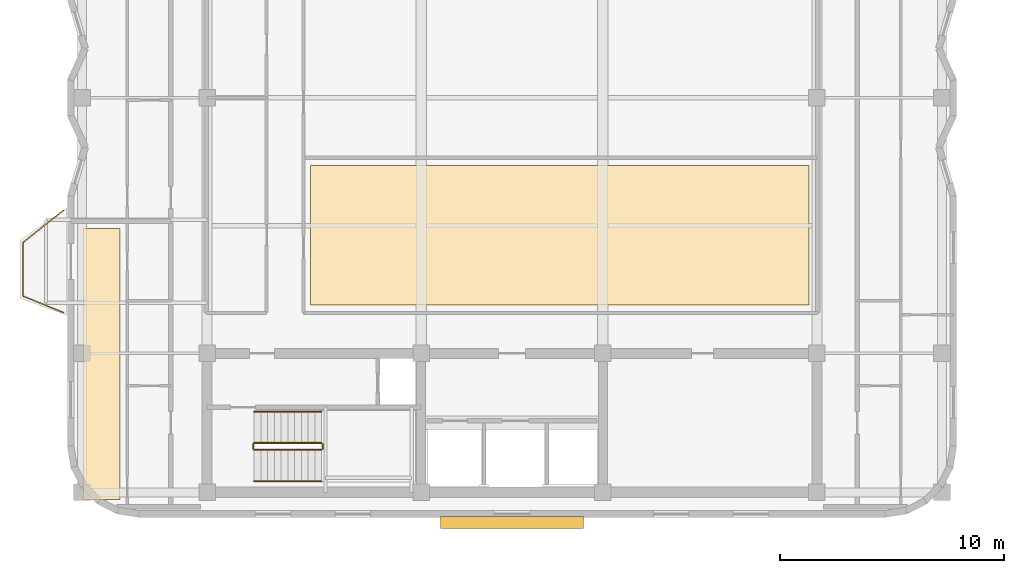
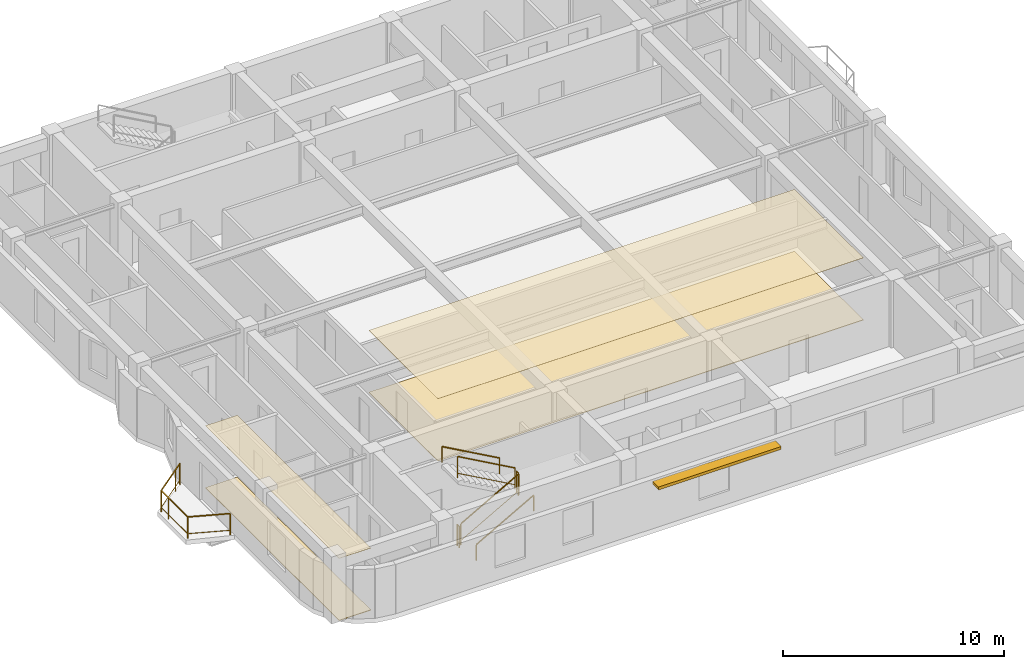
# One storey, part 7 of 8: 7 railings, 4 coverings, 1 shading device.
"""IFC4 building model written with IfcOpenShell, lengths in metres."""

from ifc_helpers import new_model, si_unit, direction, frame, origin, origin_2d, place, context, subcontext, project, spatial, polyline, rectangle, outline, extrude, material, layer, layer_set, type_object, element, save


model = new_model("IFC4")

# Units and contexts
model_context = context("Model", 3, precision=1e-05, world=origin(), true_north=direction((0.0, 1.0)))
body_context = subcontext(model_context, "Body", "Model", "MODEL_VIEW")
ifc_project = project(units=[si_unit("LENGTHUNIT", "METRE"), si_unit("AREAUNIT", "SQUARE_METRE"), si_unit("VOLUMEUNIT", "CUBIC_METRE"), si_unit("PLANEANGLEUNIT", "RADIAN"), si_unit("MASSUNIT", "GRAM", prefix="KILO")], contexts=[model_context])

# Site, building, storey
site_placement = place(None, origin())
site = spatial("IfcSite", under=ifc_project, at=site_placement, CompositionType="ELEMENT")
building_placement = place(site_placement, origin())
building = spatial("IfcBuilding", under=site, at=building_placement, Name="Svetorya Sky Lyceum", CompositionType="ELEMENT")
storey_placement = place(building_placement, frame((0.0, 0.0, 282.39990234375)))
storey = spatial("IfcBuildingStorey", under=building, at=storey_placement, Name="L71", CompositionType="ELEMENT", Elevation=282.39990234375)

# Coverings
ifc_material_1 = material(Name="Perforated acoustic gypsum ceiling board")
ifc_layer_1 = layer(ifc_material_1, 0.01806640625)
ifc_layer_set_1 = layer_set([ifc_layer_1], Name="Perforated acoustic gypsum ceiling board")
covering_type_1 = type_object("IfcCoveringType", Name="COV-CLG-GYP", PredefinedType="CEILING", material=ifc_layer_set_1)
covering_1_placement = place(storey_placement, frame((0.0, 0.0, 3.43212890625)))
element("IfcCovering", 1, at=covering_1_placement, inside=storey, type_object=covering_type_1, Name="Residents Club Hall L71 Acoustic Ceiling", PredefinedType="CEILING", context=body_context, shape_type="SweptSolid", body=[
    extrude(outline(polyline([(30.219970703125, 18.949951171875), (52.449951171875, 18.949951171875), (52.449951171875, 25.1904296875), (30.219970703125, 25.1904296875), (30.219970703125, 18.949951171875)])), origin(), (0.0, 0.0, 1.0), 0.01806640625),
])
covering_2_placement = place(storey_placement, frame((0.0, 0.0, 3.43212890625)))
element("IfcCovering", 2, at=covering_2_placement, inside=storey, type_object=covering_type_1, Name="Apartment W1 Studio Living Room Acoustic Ceiling", PredefinedType="CEILING", context=body_context, shape_type="SweptSolid", body=[
    extrude(outline(polyline([(20.061767578125, 10.280029296875), (21.719970703125, 10.280029296875), (21.719970703125, 22.3701171875), (20.061767578125, 22.3701171875), (20.061767578125, 10.280029296875)])), origin(), (0.0, 0.0, 1.0), 0.01806640625),
])
ifc_material_2 = material(Name="Honed Karelian granite terrazzo flooring", Category="masonry")
ifc_layer_2 = layer(ifc_material_2, 0.030029296875)
ifc_layer_set_2 = layer_set([ifc_layer_2], Name="Honed Karelian granite terrazzo flooring")
covering_type_2 = type_object("IfcCoveringType", Name="COV-FLR-TER", PredefinedType="FLOORING", material=ifc_layer_set_2)
covering_3_placement = place(storey_placement, origin())
element("IfcCovering", 3, at=covering_3_placement, inside=storey, type_object=covering_type_2, Name="Residents Club Hall L71 Architectural Flooring", PredefinedType="FLOORING", context=body_context, shape_type="SweptSolid", body=[
    extrude(outline(polyline([(30.219970703125, 18.949951171875), (52.449951171875, 18.949951171875), (52.449951171875, 25.1904296875), (30.219970703125, 25.1904296875), (30.219970703125, 18.949951171875)])), origin(), (0.0, 0.0, 1.0), 0.030029296875),
])
covering_4_placement = place(storey_placement, origin())
element("IfcCovering", 4, at=covering_4_placement, inside=storey, type_object=covering_type_2, Name="Apartment W1 Studio Living Room Architectural Flooring", PredefinedType="FLOORING", context=body_context, shape_type="SweptSolid", body=[
    extrude(outline(polyline([(20.061767578125, 10.280029296875), (21.719970703125, 10.280029296875), (21.719970703125, 22.3701171875), (20.061767578125, 22.3701171875), (20.061767578125, 10.280029296875)])), origin(), (0.0, 0.0, 1.0), 0.030029296875),
])

# Railings
ifc_material_3 = material(Name="Laminated safety glass and stainless AISI 316", Category="glass")
railing_type_1 = type_object("IfcRailingType", Name="RL-BAL-1200", PredefinedType="BALUSTRADE", material=ifc_material_3)
railing_1_placement = place(storey_placement, frame((19.18994140625, 18.6201171875, 0.0)))
element("IfcRailing", 5, at=railing_1_placement, inside=storey, type_object=railing_type_1, Name="L71 Balcony Balustrade BAL-W1", PredefinedType="BALUSTRADE", context=body_context, shape_type="SweptSolid", body=[
    extrude(rectangle(XDim=0.048095703125, YDim=0.048095703125, at=origin_2d()), frame((0.0, 0.0, 1.17578125), z_axis=(-0.926697865975, 0.375807218129, 0.0), x_axis=(-0.375807218129, -0.926697865975, 0.0)), (0.0, 0.0, 1.0), 1.9423828125),
    extrude(rectangle(XDim=0.02392578125, YDim=0.02392578125, at=origin_2d()), frame((0.0, 0.0, 0.25), z_axis=(-0.926697865975, 0.375807218129, 0.0), x_axis=(-0.375807218129, -0.926697865975, 0.0)), (0.0, 0.0, 1.0), 1.9423828125),
    extrude(rectangle(XDim=0.048095703125, YDim=0.048095703125, at=origin_2d()), frame((-1.800048828125, 0.72998046875, 1.17578125), z_axis=(0.0, 1.0, 0.0), x_axis=(-1.0, 0.0, 0.0)), (0.0, 0.0, 1.0), 2.39990234375),
    extrude(rectangle(XDim=0.02392578125, YDim=0.02392578125, at=origin_2d()), frame((-1.800048828125, 0.72998046875, 0.25), z_axis=(0.0, 1.0, 0.0), x_axis=(-1.0, 0.0, 0.0)), (0.0, 0.0, 1.0), 2.39990234375),
    extrude(rectangle(XDim=0.048095703125, YDim=0.048095703125, at=origin_2d()), frame((-1.800048828125, 3.1298828125, 1.17578125), z_axis=(0.783008919264, 0.622010476079, 0.0), x_axis=(-0.622010476079, 0.783008919264, 0.0)), (0.0, 0.0, 1.0), 2.298828125),
    extrude(rectangle(XDim=0.02392578125, YDim=0.02392578125, at=origin_2d()), frame((-1.800048828125, 3.1298828125, 0.25), z_axis=(0.783008919264, 0.622010476079, 0.0), x_axis=(-0.622010476079, 0.783008919264, 0.0)), (0.0, 0.0, 1.0), 2.298828125),
    extrude(rectangle(XDim=0.0419921875, YDim=0.0419921875, at=origin_2d()), origin(), (0.0, 0.0, 1.0), 1.15185546875),
    extrude(rectangle(XDim=0.0419921875, YDim=0.0419921875, at=origin_2d()), frame((-1.800048828125, 0.72998046875, 0.0)), (0.0, 0.0, 1.0), 1.15185546875),
    extrude(rectangle(XDim=0.0419921875, YDim=0.0419921875, at=origin_2d()), frame((-1.800048828125, 2.47998046875, 0.0)), (0.0, 0.0, 1.0), 1.15185546875),
    extrude(rectangle(XDim=0.0419921875, YDim=0.0419921875, at=origin_2d()), frame((-1.800048828125, 3.1298828125, 0.0)), (0.0, 0.0, 1.0), 1.15185546875),
    extrude(rectangle(XDim=0.0419921875, YDim=0.0419921875, at=origin_2d()), frame((-0.4296875, 4.218505859375, 0.0)), (0.0, 0.0, 1.0), 1.15185546875),
    extrude(rectangle(XDim=0.0419921875, YDim=0.0419921875, at=origin_2d()), frame((0.0, 4.559814453125, 0.0)), (0.0, 0.0, 1.0), 1.15185546875),
])
ifc_material_4 = material(Name="Painted galvanized stair well guard")
railing_type_2 = type_object("IfcRailingType", Name="RL-STR-GUARD-1200", PredefinedType="GUARDRAIL", material=ifc_material_4)
railing_2_placement = place(storey_placement, frame((27.699951171875, 12.5, 0.168212890625)))
element("IfcRailing", 6, at=railing_2_placement, inside=storey, type_object=railing_type_2, Name="L71 ST-S stair guard 1", PredefinedType="GUARDRAIL", context=body_context, shape_type="SweptSolid", body=[
    extrude(rectangle(XDim=0.048095703125, YDim=0.048095703125, at=origin_2d()), frame((0.0, 0.0, 1.17578125), z_axis=(0.872272294576, 0.0, 0.489020494575), x_axis=(0.0, 1.0, 0.0)), (0.0, 0.0, 1.0), 3.439208984375),
    extrude(rectangle(XDim=0.02392578125, YDim=0.02392578125, at=origin_2d()), frame((0.0, 0.0, 0.25), z_axis=(0.872272294576, 0.0, 0.489020494575), x_axis=(0.0, 1.0, 0.0)), (0.0, 0.0, 1.0), 3.439208984375),
    extrude(rectangle(XDim=0.0419921875, YDim=0.0419921875, at=origin_2d()), origin(), (0.0, 0.0, 1.0), 1.15185546875),
    extrude(rectangle(XDim=0.0419921875, YDim=0.0419921875, at=origin_2d()), frame((3.0, 0.0, 1.681884765625)), (0.0, 0.0, 1.0), 1.15185546875),
])
railing_3_placement = place(storey_placement, frame((30.75, 12.550048828125, 1.85009765625)))
element("IfcRailing", 7, at=railing_3_placement, inside=storey, type_object=railing_type_2, Name="L71 ST-S stair guard 2", PredefinedType="GUARDRAIL", context=body_context, shape_type="SweptSolid", body=[
    extrude(rectangle(XDim=0.048095703125, YDim=0.048095703125, at=origin_2d()), frame((0.0, 0.0, 1.17578125), z_axis=(0.0, 1.0, 0.0), x_axis=(-1.0, 0.0, 0.0)), (0.0, 0.0, 1.0), 0.199951171875),
    extrude(rectangle(XDim=0.02392578125, YDim=0.02392578125, at=origin_2d()), frame((0.0, 0.0, 0.25), z_axis=(0.0, 1.0, 0.0), x_axis=(-1.0, 0.0, 0.0)), (0.0, 0.0, 1.0), 0.199951171875),
    extrude(rectangle(XDim=0.0419921875, YDim=0.0419921875, at=origin_2d()), origin(), (0.0, 0.0, 1.0), 1.15185546875),
    extrude(rectangle(XDim=0.0419921875, YDim=0.0419921875, at=origin_2d()), frame((0.0, 0.199951171875, 0.0)), (0.0, 0.0, 1.0), 1.15185546875),
])
railing_4_placement = place(storey_placement, frame((30.699951171875, 12.800048828125, 2.018310546875)))
element("IfcRailing", 8, at=railing_4_placement, inside=storey, type_object=railing_type_2, Name="L71 ST-S stair guard 3", PredefinedType="GUARDRAIL", context=body_context, shape_type="SweptSolid", body=[
    extrude(rectangle(XDim=0.048095703125, YDim=0.048095703125, at=origin_2d()), frame((0.0, 0.0, 1.17578125), z_axis=(-0.872272294576, 0.0, 0.489020494575), x_axis=(0.0, -1.0, 0.0)), (0.0, 0.0, 1.0), 3.439208984375),
    extrude(rectangle(XDim=0.02392578125, YDim=0.02392578125, at=origin_2d()), frame((0.0, 0.0, 0.25), z_axis=(-0.872272294576, 0.0, 0.489020494575), x_axis=(0.0, -1.0, 0.0)), (0.0, 0.0, 1.0), 3.439208984375),
    extrude(rectangle(XDim=0.0419921875, YDim=0.0419921875, at=origin_2d()), origin(), (0.0, 0.0, 1.0), 1.15185546875),
    extrude(rectangle(XDim=0.0419921875, YDim=0.0419921875, at=origin_2d()), frame((-3.0, 0.0, 1.681884765625)), (0.0, 0.0, 1.0), 1.15185546875),
])
railing_5_placement = place(storey_placement, frame((27.64990234375, 12.550048828125, 0.0)))
element("IfcRailing", 9, at=railing_5_placement, inside=storey, type_object=railing_type_2, Name="L71 ST-S stair guard 4", PredefinedType="GUARDRAIL", context=body_context, shape_type="SweptSolid", body=[
    extrude(rectangle(XDim=0.048095703125, YDim=0.048095703125, at=origin_2d()), frame((0.0, 0.0, 1.17578125), z_axis=(0.0, 1.0, 0.0), x_axis=(-1.0, 0.0, 0.0)), (0.0, 0.0, 1.0), 0.199951171875),
    extrude(rectangle(XDim=0.02392578125, YDim=0.02392578125, at=origin_2d()), frame((0.0, 0.0, 0.25), z_axis=(0.0, 1.0, 0.0), x_axis=(-1.0, 0.0, 0.0)), (0.0, 0.0, 1.0), 0.199951171875),
    extrude(rectangle(XDim=0.0419921875, YDim=0.0419921875, at=origin_2d()), origin(), (0.0, 0.0, 1.0), 1.15185546875),
    extrude(rectangle(XDim=0.0419921875, YDim=0.0419921875, at=origin_2d()), frame((0.0, 0.199951171875, 0.0)), (0.0, 0.0, 1.0), 1.15185546875),
])
ifc_material_5 = material(Name="Brushed stainless AISI 304 stair handrail")
railing_type_3 = type_object("IfcRailingType", Name="RL-STR-HAND-920", PredefinedType="HANDRAIL", material=ifc_material_5)
railing_6_placement = place(storey_placement, frame((27.699951171875, 11.10009765625, 0.168212890625)))
element("IfcRailing", 10, at=railing_6_placement, inside=storey, type_object=railing_type_3, Name="L71 ST-S stair handrail 1", PredefinedType="HANDRAIL", context=body_context, shape_type="SweptSolid", body=[
    extrude(rectangle(XDim=0.048095703125, YDim=0.048095703125, at=origin_2d()), frame((0.0, 0.0, 0.8759765625), z_axis=(0.872272294576, 0.0, 0.489020494575), x_axis=(0.0, 1.0, 0.0)), (0.0, 0.0, 1.0), 3.439208984375),
    extrude(rectangle(XDim=0.0419921875, YDim=0.0419921875, at=origin_2d()), origin(), (0.0, 0.0, 1.0), 0.851806640625),
    extrude(rectangle(XDim=0.0419921875, YDim=0.0419921875, at=origin_2d()), frame((3.0, 0.0, 1.681884765625)), (0.0, 0.0, 1.0), 0.851806640625),
])
railing_7_placement = place(storey_placement, frame((30.699951171875, 14.199951171875, 2.018310546875)))
element("IfcRailing", 11, at=railing_7_placement, inside=storey, type_object=railing_type_3, Name="L71 ST-S stair handrail 2", PredefinedType="HANDRAIL", context=body_context, shape_type="SweptSolid", body=[
    extrude(rectangle(XDim=0.048095703125, YDim=0.048095703125, at=origin_2d()), frame((0.0, 0.0, 0.8759765625), z_axis=(-0.872272294576, 0.0, 0.489020494575), x_axis=(0.0, -1.0, 0.0)), (0.0, 0.0, 1.0), 3.439208984375),
    extrude(rectangle(XDim=0.0419921875, YDim=0.0419921875, at=origin_2d()), origin(), (0.0, 0.0, 1.0), 0.851806640625),
    extrude(rectangle(XDim=0.0419921875, YDim=0.0419921875, at=origin_2d()), frame((-3.0, 0.0, 1.681884765625)), (0.0, 0.0, 1.0), 0.851806640625),
])

# Shading device
ifc_material_6 = material(Name="Champagne-anodized extruded aluminium sunshade", Category="aluminium")
ifc_layer_3 = layer(ifc_material_6, 0.159912109375)
ifc_layer_set_3 = layer_set([ifc_layer_3], Name="Champagne-anodized extruded aluminium sunshade")
shading_device_type = type_object("IfcShadingDeviceType", Name="SHD-LVR-540", PredefinedType="AWNING", material=ifc_layer_set_3)
shading_device_placement = place(storey_placement, frame((39.199951171875, 9.260009765625, 2.43017578125), z_axis=(0.0, 0.0, 1.0), x_axis=(1.0, 0.0, 0.0)))
element("IfcShadingDevice", 12, at=shading_device_placement, inside=storey, type_object=shading_device_type, Name="L71 Solar Brise-Soleil SHD-1.6M", PredefinedType="AWNING", context=body_context, shape_type="SweptSolid", body=[
    extrude(rectangle(XDim=6.39990234375, YDim=0.5400390625, at=origin_2d()), origin(), (0.0, 0.0, 1.0), 0.159912109375),
])

save(model, "model.ifc")
